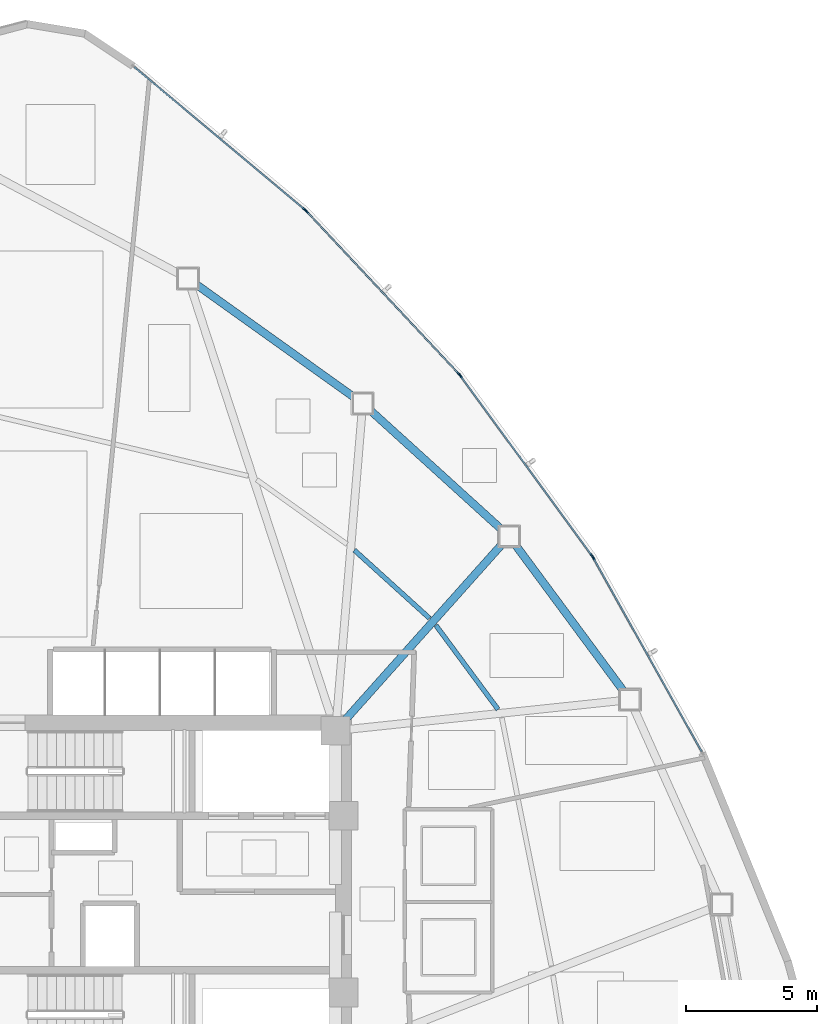
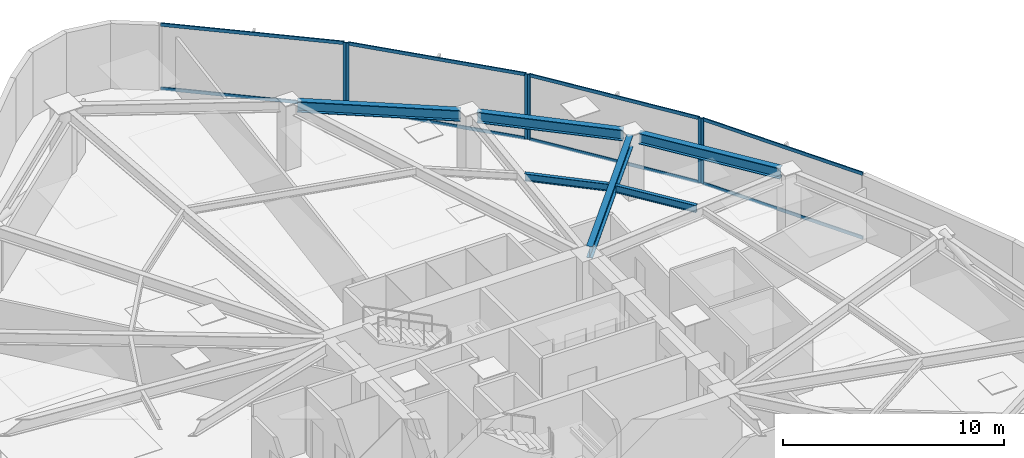
# One storey, part 9 of 16: 14 members, 6 beams, 4 elements without a shape of their own.
"""IFC4 building model written with IfcOpenShell, lengths in metres."""

from ifc_helpers import new_model, si_unit, direction, frame, origin, origin_2d, place, context, subcontext, project, spatial, hollow_rectangle, i_section, extrude, source, transform, mapped, material, layer, layer_set, material_profile, profile_set, type_object, type_shapes, element, aggregate, save


model = new_model("IFC4")

# Units and contexts
model_context = context("Model", 3, precision=1e-05, world=origin(), true_north=direction((0.0, 1.0)))
body_context = subcontext(model_context, "Body", "Model", "MODEL_VIEW")
ifc_project = project(units=[si_unit("LENGTHUNIT", "METRE"), si_unit("AREAUNIT", "SQUARE_METRE"), si_unit("VOLUMEUNIT", "CUBIC_METRE"), si_unit("PLANEANGLEUNIT", "RADIAN"), si_unit("MASSUNIT", "GRAM", prefix="KILO")], contexts=[model_context])

# Site, building, storey
site_placement = place(None, origin())
site = spatial("IfcSite", under=ifc_project, at=site_placement, CompositionType="ELEMENT")
building_placement = place(site_placement, origin())
building = spatial("IfcBuilding", under=site, at=building_placement, Name="Tavelor Broadcast Tower", CompositionType="ELEMENT")
storey_placement = place(building_placement, frame((0.0, 0.0, 35.39990234375)))
storey = spatial("IfcBuildingStorey", under=building, at=storey_placement, Name="L07", CompositionType="ELEMENT", Elevation=35.39990234375)

# Beams
ifc_material_1 = material(Name="Steel S355", Category="steel")
ifc_material_profile_1 = material_profile(ifc_material_1, i_section(OverallWidth=0.179931640625, OverallDepth=0.39990234375, WebThickness=0.008544921875, FlangeThickness=0.013427734375, at=origin_2d()), Name="IPE 400")
ifc_profile_set_1 = profile_set([ifc_material_profile_1], Name="Steel S355")
beam_type_1 = type_object("IfcBeamType", Name="Composite Floor Joist T1 IPE 400", PredefinedType="JOIST", material=ifc_profile_set_1)
beam_1_placement = place(storey_placement, frame((62.804443359375, 52.009521484375, 3.400146484375), z_axis=(-0.594288025828, 0.804252287754, 0.0), x_axis=(-0.804252287754, -0.594288025828, 0.0)))
element("IfcBeam", 1, at=beam_1_placement, inside=storey, type_object=beam_type_1, Name="L07 Secondary Composite Floor Joist 15", PredefinedType="JOIST", context=body_context, shape_type="SweptSolid", body=[
    extrude(i_section(OverallWidth=0.179931640625, OverallDepth=0.39990234375, WebThickness=0.008544921875, FlangeThickness=0.013427734375, at=origin_2d()), origin(), (0.0, 0.0, 1.0), 3.99755859375),
])
beam_2_placement = place(storey_placement, frame((60.18701171875, 55.49169921875, 3.400146484375), z_axis=(-0.740990869176, 0.67151510169, 0.0), x_axis=(-0.67151510169, -0.740990869176, 0.0)))
element("IfcBeam", 2, at=beam_2_placement, inside=storey, type_object=beam_type_1, Name="L07 Secondary Composite Floor Joist 16", PredefinedType="JOIST", context=body_context, shape_type="SweptSolid", body=[
    extrude(i_section(OverallWidth=0.179931640625, OverallDepth=0.39990234375, WebThickness=0.008544921875, FlangeThickness=0.013427734375, at=origin_2d()), origin(), (0.0, 0.0, 1.0), 3.8759765625),
])
ifc_material_profile_2 = material_profile(ifc_material_1, i_section(OverallWidth=0.300048828125, OverallDepth=0.60009765625, WebThickness=0.015380859375, FlangeThickness=0.030029296875, at=origin_2d()), Name="HEB 600")
ifc_profile_set_2 = profile_set([ifc_material_profile_2], Name="Steel S355")
beam_type_2 = type_object("IfcBeamType", Name="Perimeter Spandrel Beam T1 HEB 600", PredefinedType="SPANDREL", material=ifc_profile_set_2)
beam_3_placement = place(storey_placement, frame((67.6123046875, 52.69140625, 3.300048828125), z_axis=(-0.594687385164, 0.803957034876, 0.0), x_axis=(-0.803957034876, -0.594687385164, 0.0)))
element("IfcBeam", 3, at=beam_3_placement, inside=storey, type_object=beam_type_2, Name="L07 Framed-Tube Ring Spandrel 15", PredefinedType="SPANDREL", context=body_context, shape_type="SweptSolid", body=[
    extrude(i_section(OverallWidth=0.300048828125, OverallDepth=0.60009765625, WebThickness=0.015380859375, FlangeThickness=0.030029296875, at=origin_2d()), origin(), (0.0, 0.0, 1.0), 6.9951171875),
])
beam_4_placement = place(storey_placement, frame((62.939697265625, 58.882080078125, 3.300048828125), z_axis=(-0.740415616175, 0.672149325168, 0.0), x_axis=(-0.672149325168, -0.740415616175, 0.0)))
element("IfcBeam", 4, at=beam_4_placement, inside=storey, type_object=beam_type_2, Name="L07 Framed-Tube Ring Spandrel 16", PredefinedType="SPANDREL", context=body_context, shape_type="SweptSolid", body=[
    extrude(i_section(OverallWidth=0.300048828125, OverallDepth=0.60009765625, WebThickness=0.015380859375, FlangeThickness=0.030029296875, at=origin_2d()), origin(), (0.0, 0.0, 1.0), 6.78076171875),
])
beam_5_placement = place(storey_placement, frame((57.322509765625, 63.921142578125, 3.300048828125), z_axis=(-0.813480467782, 0.581592235624, 0.0), x_axis=(-0.581592235624, -0.813480467782, 0.0)))
element("IfcBeam", 5, at=beam_5_placement, inside=storey, type_object=beam_type_2, Name="L07 Framed-Tube Ring Spandrel 17", PredefinedType="SPANDREL", context=body_context, shape_type="SweptSolid", body=[
    extrude(i_section(OverallWidth=0.300048828125, OverallDepth=0.60009765625, WebThickness=0.015380859375, FlangeThickness=0.030029296875, at=origin_2d()), origin(), (0.0, 0.0, 1.0), 7.43505859375),
])
ifc_material_profile_3 = material_profile(ifc_material_1, i_section(OverallWidth=0.300048828125, OverallDepth=0.64990234375, WebThickness=0.01611328125, FlangeThickness=0.031005859375, at=origin_2d()), Name="HEB 650")
ifc_profile_set_3 = profile_set([ifc_material_profile_3], Name="Steel S355")
beam_type_3 = type_object("IfcBeamType", Name="Radial Floor Girder T1 HEB 650", PredefinedType="BEAM", material=ifc_profile_set_3)
beam_6_placement = place(storey_placement, frame((56.951416015625, 51.593994140625, 3.275146484375), z_axis=(0.665781144197, 0.746147082036, 0.0), x_axis=(-0.746147082036, 0.665781144197, 0.0)))
element("IfcBeam", 6, at=beam_6_placement, inside=storey, type_object=beam_type_3, Name="L07 Radial Primary Floor Girder 16", PredefinedType="BEAM", context=body_context, shape_type="SweptSolid", body=[
    extrude(i_section(OverallWidth=0.300048828125, OverallDepth=0.64990234375, WebThickness=0.01611328125, FlangeThickness=0.031005859375, at=origin_2d()), origin(), (0.0, 0.0, 1.0), 9.03759765625),
])

# Curtain wall, member
ifc_material_2 = material(Name="Architectural Anodized Aluminium", Category="aluminium")
ifc_layer = layer(ifc_material_2, 0.179931640625)
ifc_layer_set = layer_set([ifc_layer], Name="Architectural Anodized Aluminium")
curtain_wall_type = type_object("IfcCurtainWallType", Name="Tower Low-Zone Unitised Curtain Wall CW02", PredefinedType="NOTDEFINED", material=ifc_layer_set)
curtain_wall_1_placement = place(storey_placement, origin())
curtain_wall_1 = element("IfcCurtainWall", 7, at=curtain_wall_1_placement, inside=storey, type_object=curtain_wall_type, Name="L07 Curtain Wall CW02 Run 45", PredefinedType="NOTDEFINED")
ifc_material_profile_4 = material_profile(ifc_material_2, hollow_rectangle(XDim=0.06494140625, YDim=0.179931640625, WallThickness=0.02197265625, at=origin_2d()), Name="RHS 65x180x22")
ifc_profile_set_4 = profile_set([ifc_material_profile_4], Name="Architectural Anodized Aluminium")
member_type_1 = type_object("IfcMemberType", Name="CW02 Extruded Aluminium Mullion 65x180", PredefinedType="MULLION", material=ifc_profile_set_4)
shared_shape_1 = source(origin(), body_context, "Body", "SweptSolid", [
    extrude(hollow_rectangle(XDim=0.06494140625, YDim=0.179931640625, WallThickness=0.02197265625, at=origin_2d()), origin(), (0.0, 0.0, 1.0), 3.60009765625),
])
type_shapes(member_type_1, [shared_shape_1])
member_1_placement = place(storey_placement, frame((66.43701171875, 57.80712890625, 0.0), z_axis=(0.0, 0.0, 1.0), x_axis=(-0.872709111979, -0.488240520511, 0.0)))
member_1 = element("IfcMember", 8, at=member_1_placement, type_object=member_type_1, Name="CW02 mullion 2", PredefinedType="MULLION", context=body_context, shape_type="MappedRepresentation", body=[
    mapped(shared_shape_1, transform((0.0, 0.0, 0.0), scale=1.0)),
])

# Curtain wall, members
curtain_wall_2_placement = place(storey_placement, origin())
curtain_wall_2 = element("IfcCurtainWall", 9, at=curtain_wall_2_placement, inside=storey, type_object=curtain_wall_type, Name="L07 Curtain Wall CW02 Run 46", PredefinedType="NOTDEFINED")
member_2_placement = place(storey_placement, frame((66.3857421875, 57.886962890625, 0.0), z_axis=(0.0, 0.0, 1.0), x_axis=(-0.807219865243, -0.59025086968, 0.0)))
member_2 = element("IfcMember", 10, at=member_2_placement, type_object=member_type_1, Name="CW02 mullion 1", PredefinedType="MULLION", context=body_context, shape_type="MappedRepresentation", body=[
    mapped(shared_shape_1, transform((0.0, 0.0, 0.0), scale=1.0)),
])
member_3_placement = place(storey_placement, frame((61.364990234375, 64.75341796875, 0.0), z_axis=(0.0, 0.0, 1.0), x_axis=(-0.807219865243, -0.59025086968, 0.0)))
member_3 = element("IfcMember", 11, at=member_3_placement, type_object=member_type_1, Name="CW02 mullion 2", PredefinedType="MULLION", context=body_context, shape_type="MappedRepresentation", body=[
    mapped(shared_shape_1, transform((0.0, 0.0, 0.0), scale=1.0)),
])

curtain_wall_3_placement = place(storey_placement, origin())
curtain_wall_3 = element("IfcCurtainWall", 12, at=curtain_wall_3_placement, inside=storey, type_object=curtain_wall_type, Name="L07 Curtain Wall CW02 Run 47", PredefinedType="NOTDEFINED")
member_4_placement = place(storey_placement, frame((61.304443359375, 64.826416015625, 0.0), z_axis=(0.0, 0.0, 1.0), x_axis=(-0.729852572174, -0.6836045808, 0.0)))
member_4 = element("IfcMember", 13, at=member_4_placement, type_object=member_type_1, Name="CW02 mullion 1", PredefinedType="MULLION", context=body_context, shape_type="MappedRepresentation", body=[
    mapped(shared_shape_1, transform((0.0, 0.0, 0.0), scale=1.0)),
])
member_5_placement = place(storey_placement, frame((55.489501953125, 71.03466796875, 0.0), z_axis=(0.0, 0.0, 1.0), x_axis=(-0.729852572174, -0.6836045808, 0.0)))
member_5 = element("IfcMember", 14, at=member_5_placement, type_object=member_type_1, Name="CW02 mullion 2", PredefinedType="MULLION", context=body_context, shape_type="MappedRepresentation", body=[
    mapped(shared_shape_1, transform((0.0, 0.0, 0.0), scale=1.0)),
])

# Curtain wall, member
curtain_wall_4_placement = place(storey_placement, origin())
curtain_wall_4 = element("IfcCurtainWall", 15, at=curtain_wall_4_placement, inside=storey, type_object=curtain_wall_type, Name="L07 Curtain Wall CW02 Run 48", PredefinedType="NOTDEFINED")
member_6_placement = place(storey_placement, frame((55.420654296875, 71.099853515625, 0.0), z_axis=(0.0, 0.0, 1.0), x_axis=(-0.641763729235, -0.766902416112, 0.0)))
member_6 = element("IfcMember", 16, at=member_6_placement, type_object=member_type_1, Name="CW02 mullion 1", PredefinedType="MULLION", context=body_context, shape_type="MappedRepresentation", body=[
    mapped(shared_shape_1, transform((0.0, 0.0, 0.0), scale=1.0)),
])

# Member
ifc_material_profile_5 = material_profile(ifc_material_2, hollow_rectangle(XDim=0.06494140625, YDim=0.179931640625, WallThickness=0.02197265625, at=origin_2d()), Name="RHS 65x180x22")
ifc_profile_set_5 = profile_set([ifc_material_profile_5], Name="Architectural Anodized Aluminium")
member_type_2 = type_object("IfcMemberType", Name="CW02 Extruded Aluminium Transom 65x180", PredefinedType="USERDEFINED", material=ifc_profile_set_5)
shared_shape_2 = source(origin(), body_context, "Body", "SweptSolid", [
    extrude(hollow_rectangle(XDim=0.06494140625, YDim=0.179931640625, WallThickness=0.02197265625, at=origin_2d()), origin(), (0.0, 0.0, 1.0), 8.456298828125),
])
member_7_placement = place(storey_placement, frame((70.58154296875, 50.39892578125, 0.03271484375), z_axis=(-0.488236724452, 0.872711235688, 0.0), x_axis=(-0.872711235688, -0.488236724452, 0.0)))
member_7 = element("IfcMember", 17, at=member_7_placement, type_object=member_type_2, Name="CW02 transom 1.1", ObjectType="TRANSOM", PredefinedType="USERDEFINED", context=body_context, shape_type="MappedRepresentation", body=[
    mapped(shared_shape_2, transform((0.0, 0.0, 0.0), scale=1.0)),
])

member_8_placement = place(storey_placement, frame((70.58154296875, 50.39892578125, 3.567626953125), z_axis=(-0.488236724452, 0.872711235688, 0.0), x_axis=(-0.872711235688, -0.488236724452, 0.0)))
member_8 = element("IfcMember", 18, at=member_8_placement, type_object=member_type_2, Name="CW02 transom 1.2", ObjectType="TRANSOM", PredefinedType="USERDEFINED", context=body_context, shape_type="MappedRepresentation", body=[
    mapped(shared_shape_2, transform((0.0, 0.0, 0.0), scale=1.0)),
])

aggregate(curtain_wall_1, [member_1, member_7, member_8])

shared_shape_3 = source(origin(), body_context, "Body", "SweptSolid", [
    extrude(hollow_rectangle(XDim=0.06494140625, YDim=0.179931640625, WallThickness=0.02197265625, at=origin_2d()), origin(), (0.0, 0.0, 1.0), 8.457275390625),
])
member_9_placement = place(storey_placement, frame((55.395751953125, 71.12060546875, 0.03271484375), z_axis=(-0.766904039357, 0.641761789466, 0.0), x_axis=(-0.641761789466, -0.766904039357, 0.0)))
member_9 = element("IfcMember", 19, at=member_9_placement, type_object=member_type_2, Name="CW02 transom 1.1", ObjectType="TRANSOM", PredefinedType="USERDEFINED", context=body_context, shape_type="MappedRepresentation", body=[
    mapped(shared_shape_3, transform((0.0, 0.0, 0.0), scale=1.0)),
])

member_10_placement = place(storey_placement, frame((55.395751953125, 71.12060546875, 3.567626953125), z_axis=(-0.766904039357, 0.641761789466, 0.0), x_axis=(-0.641761789466, -0.766904039357, 0.0)))
member_10 = element("IfcMember", 20, at=member_10_placement, type_object=member_type_2, Name="CW02 transom 1.2", ObjectType="TRANSOM", PredefinedType="USERDEFINED", context=body_context, shape_type="MappedRepresentation", body=[
    mapped(shared_shape_3, transform((0.0, 0.0, 0.0), scale=1.0)),
])

aggregate(curtain_wall_4, [member_6, member_9, member_10])

shared_shape_4 = source(origin(), body_context, "Body", "SweptSolid", [
    extrude(hollow_rectangle(XDim=0.06494140625, YDim=0.179931640625, WallThickness=0.02197265625, at=origin_2d()), origin(), (0.0, 0.0, 1.0), 8.441162109375),
])
type_shapes(member_type_2, [shared_shape_2, shared_shape_3, shared_shape_4])
member_11_placement = place(storey_placement, frame((66.36669921875, 57.9130859375, 0.03271484375), z_axis=(-0.590247163086, 0.807222575545, 0.0), x_axis=(-0.807222575545, -0.590247163086, 0.0)))
member_11 = element("IfcMember", 21, at=member_11_placement, type_object=member_type_2, Name="CW02 transom 1.1", ObjectType="TRANSOM", PredefinedType="USERDEFINED", context=body_context, shape_type="MappedRepresentation", body=[
    mapped(shared_shape_4, transform((0.0, 0.0, 0.0), scale=1.0)),
])

member_12_placement = place(storey_placement, frame((66.36669921875, 57.9130859375, 3.567626953125), z_axis=(-0.590247163086, 0.807222575545, 0.0), x_axis=(-0.807222575545, -0.590247163086, 0.0)))
member_12 = element("IfcMember", 22, at=member_12_placement, type_object=member_type_2, Name="CW02 transom 1.2", ObjectType="TRANSOM", PredefinedType="USERDEFINED", context=body_context, shape_type="MappedRepresentation", body=[
    mapped(shared_shape_4, transform((0.0, 0.0, 0.0), scale=1.0)),
])

aggregate(curtain_wall_2, [member_2, member_3, member_11, member_12])

member_13_placement = place(storey_placement, frame((61.2822265625, 64.85009765625, 0.03271484375), z_axis=(-0.683619724616, 0.72983838767, 0.0), x_axis=(-0.72983838767, -0.683619724616, 0.0)))
member_13 = element("IfcMember", 23, at=member_13_placement, type_object=member_type_2, Name="CW02 transom 1.1", ObjectType="TRANSOM", PredefinedType="USERDEFINED", context=body_context, shape_type="MappedRepresentation", body=[
    mapped(shared_shape_4, transform((0.0, 0.0, 0.0), scale=1.0)),
])

member_14_placement = place(storey_placement, frame((61.2822265625, 64.85009765625, 3.567626953125), z_axis=(-0.683619724616, 0.72983838767, 0.0), x_axis=(-0.72983838767, -0.683619724616, 0.0)))
member_14 = element("IfcMember", 24, at=member_14_placement, type_object=member_type_2, Name="CW02 transom 1.2", ObjectType="TRANSOM", PredefinedType="USERDEFINED", context=body_context, shape_type="MappedRepresentation", body=[
    mapped(shared_shape_4, transform((0.0, 0.0, 0.0), scale=1.0)),
])

aggregate(curtain_wall_3, [member_4, member_5, member_13, member_14])

save(model, "model.ifc")
